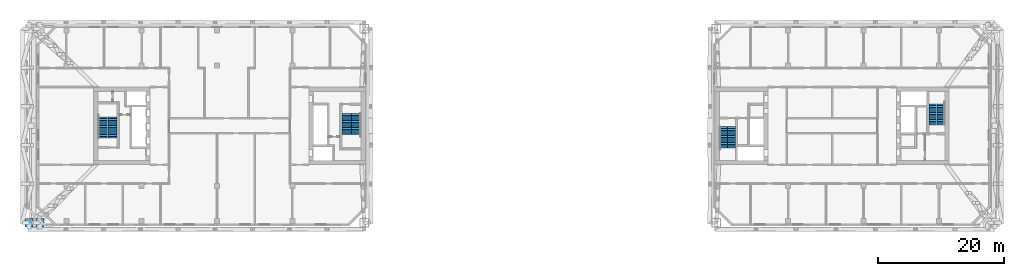
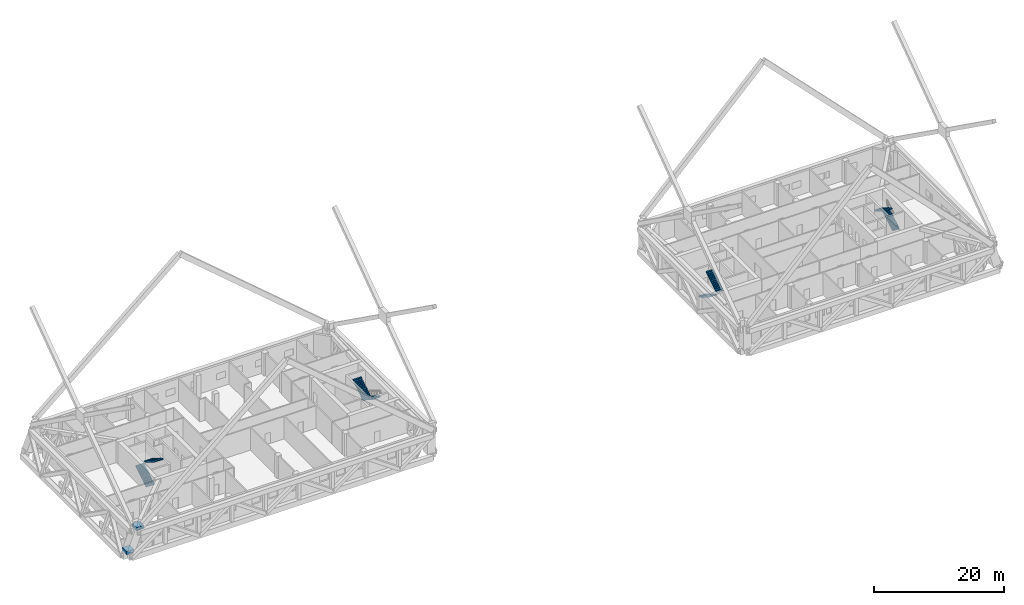
# One storey, part 17 of 20: 8 stair flights, 2 discrete accessories, 4 elements without a shape of their own.
"""IFC4 building model written with IfcOpenShell, lengths in metres."""

from ifc_helpers import new_model, si_unit, direction, frame, origin, origin_2d, place, context, subcontext, project, spatial, polyline, rectangle, outline, extrude, material, type_object, element, aggregate, save


model = new_model("IFC4")

# Units and contexts
model_context = context("Model", 3, precision=1e-05, world=origin(), true_north=direction((0.0, 1.0)))
body_context = subcontext(model_context, "Body", "Model", "MODEL_VIEW")
ifc_project = project(units=[si_unit("LENGTHUNIT", "METRE"), si_unit("AREAUNIT", "SQUARE_METRE"), si_unit("VOLUMEUNIT", "CUBIC_METRE"), si_unit("PLANEANGLEUNIT", "RADIAN"), si_unit("MASSUNIT", "GRAM", prefix="KILO")], contexts=[model_context])

# Site, building, storey
site_placement = place(None, origin())
site = spatial("IfcSite", under=ifc_project, at=site_placement, CompositionType="ELEMENT")
building_placement = place(site_placement, origin())
building = spatial("IfcBuilding", under=site, at=building_placement, Name="Tuart Gate Housing", CompositionType="ELEMENT")
storey_placement = place(building_placement, frame((0.0, 0.0, 62.89990234375)))
storey = spatial("IfcBuildingStorey", under=building, at=storey_placement, Name="L17", CompositionType="ELEMENT", Elevation=62.89990234375)

# Stair, stair flights
ifc_material_1 = material(Name="Concrete C40", Category="concrete")
stair_type_1 = type_object("IfcStairType", Name="Core stair 1250", PredefinedType="HALF_TURN_STAIR", material=ifc_material_1)
stair_1_placement = place(storey_placement, origin())
stair_1 = element("IfcStair", 1, at=stair_1_placement, inside=storey, type_object=stair_type_1, Name="Stair SB1", PredefinedType="HALF_TURN_STAIR")
ifc_material_2 = material(Name="Concrete C40", Category="concrete")
stair_flight_type_1 = type_object("IfcStairFlightType", Name="Stair flight 1250, 13 risers 173 x 280", PredefinedType="STRAIGHT", material=ifc_material_2)
stair_flight_1_placement = place(storey_placement, frame((132.68505859375, 69.85009765625, 0.0), z_axis=(0.0, 0.0, 1.0), x_axis=(0.0, -1.0, 0.0)))
stair_flight_1 = element("IfcStairFlight", 2, at=stair_flight_1_placement, type_object=stair_flight_type_1, Name="SB1 flight 1", NumberOfRisers=13, NumberOfTreads=12, PredefinedType="STRAIGHT", RiserHeight=0.173076923, TreadLength=0.28, context=body_context, shape_type="SweptSolid", body=[
    extrude(outline(polyline([(0.0, 0.0), (0.0, 0.173095703125), (0.280029296875, 0.173095703125), (0.280029296875, 0.34619140625), (0.56005859375, 0.34619140625), (0.56005859375, 0.519287109375), (0.840087890625, 0.519287109375), (0.840087890625, 0.6923828125), (1.1201171875, 0.6923828125), (1.1201171875, 0.865478515625), (1.39990234375, 0.865478515625), (1.39990234375, 1.03857421875), (1.679931640625, 1.03857421875), (1.679931640625, 1.21142578125), (1.9599609375, 1.21142578125), (1.9599609375, 1.384521484375), (2.239990234375, 1.384521484375), (2.239990234375, 1.5576171875), (2.52001953125, 1.5576171875), (2.52001953125, 1.730712890625), (2.800048828125, 1.730712890625), (2.800048828125, 1.90380859375), (3.080078125, 1.90380859375), (3.080078125, 2.076904296875), (3.360107421875, 2.076904296875), (3.360107421875, 2.25), (3.360107421875, 1.900634765625), (0.28515625, 0.0), (0.0, 0.0)])), frame((0.0, 0.625, 0.0), z_axis=(0.0, -1.0, 0.0), x_axis=(1.0, 0.0, 0.0)), (0.0, 0.0, 1.0), 1.25),
])
stair_flight_2_placement = place(storey_placement, frame((133.985107421875, 66.489990234375, 2.25), z_axis=(0.0, 0.0, 1.0), x_axis=(0.0, 1.0, 0.0)))
stair_flight_2 = element("IfcStairFlight", 3, at=stair_flight_2_placement, type_object=stair_flight_type_1, Name="SB1 flight 2", NumberOfRisers=13, NumberOfTreads=12, PredefinedType="STRAIGHT", RiserHeight=0.173076923, TreadLength=0.28, context=body_context, shape_type="SweptSolid", body=[
    extrude(outline(polyline([(0.0, 0.0), (0.0, 0.173095703125), (0.280029296875, 0.173095703125), (0.280029296875, 0.34619140625), (0.56005859375, 0.34619140625), (0.56005859375, 0.519287109375), (0.840087890625, 0.519287109375), (0.840087890625, 0.6923828125), (1.1201171875, 0.6923828125), (1.1201171875, 0.865478515625), (1.39990234375, 0.865478515625), (1.39990234375, 1.03857421875), (1.679931640625, 1.03857421875), (1.679931640625, 1.21142578125), (1.9599609375, 1.21142578125), (1.9599609375, 1.384521484375), (2.239990234375, 1.384521484375), (2.239990234375, 1.5576171875), (2.52001953125, 1.5576171875), (2.52001953125, 1.730712890625), (2.800048828125, 1.730712890625), (2.800048828125, 1.90380859375), (3.080078125, 1.90380859375), (3.080078125, 2.076904296875), (3.360107421875, 2.076904296875), (3.360107421875, 2.25), (3.360107421875, 1.900634765625), (0.28515625, 0.0), (0.0, 0.0)])), frame((0.0, 0.625, 0.0), z_axis=(0.0, -1.0, 0.0), x_axis=(1.0, 0.0, 0.0)), (0.0, 0.0, 1.0), 1.25),
])
aggregate(stair_1, [stair_flight_1, stair_flight_2])

stair_2_placement = place(storey_placement, origin())
stair_2 = element("IfcStair", 4, at=stair_2_placement, inside=storey, type_object=stair_type_1, Name="Stair SB2", PredefinedType="HALF_TURN_STAIR")
stair_flight_3_placement = place(storey_placement, frame((167.31494140625, 70.14990234375, 0.0), z_axis=(0.0, 0.0, 1.0), x_axis=(0.0, 1.0, 0.0)))
stair_flight_3 = element("IfcStairFlight", 5, at=stair_flight_3_placement, type_object=stair_flight_type_1, Name="SB2 flight 1", NumberOfRisers=13, NumberOfTreads=12, PredefinedType="STRAIGHT", RiserHeight=0.173076923, TreadLength=0.28, context=body_context, shape_type="SweptSolid", body=[
    extrude(outline(polyline([(0.0, 0.0), (0.0, 0.173095703125), (0.280029296875, 0.173095703125), (0.280029296875, 0.34619140625), (0.56005859375, 0.34619140625), (0.56005859375, 0.519287109375), (0.840087890625, 0.519287109375), (0.840087890625, 0.6923828125), (1.1201171875, 0.6923828125), (1.1201171875, 0.865478515625), (1.39990234375, 0.865478515625), (1.39990234375, 1.03857421875), (1.679931640625, 1.03857421875), (1.679931640625, 1.21142578125), (1.9599609375, 1.21142578125), (1.9599609375, 1.384521484375), (2.239990234375, 1.384521484375), (2.239990234375, 1.5576171875), (2.52001953125, 1.5576171875), (2.52001953125, 1.730712890625), (2.800048828125, 1.730712890625), (2.800048828125, 1.90380859375), (3.080078125, 1.90380859375), (3.080078125, 2.076904296875), (3.360107421875, 2.076904296875), (3.360107421875, 2.25), (3.360107421875, 1.900634765625), (0.28515625, 0.0), (0.0, 0.0)])), frame((0.0, 0.625, 0.0), z_axis=(0.0, -1.0, 0.0), x_axis=(1.0, 0.0, 0.0)), (0.0, 0.0, 1.0), 1.25),
])
stair_flight_4_placement = place(storey_placement, frame((166.014892578125, 73.510009765625, 2.25), z_axis=(0.0, 0.0, 1.0), x_axis=(0.0, -1.0, 0.0)))
stair_flight_4 = element("IfcStairFlight", 6, at=stair_flight_4_placement, type_object=stair_flight_type_1, Name="SB2 flight 2", NumberOfRisers=13, NumberOfTreads=12, PredefinedType="STRAIGHT", RiserHeight=0.173076923, TreadLength=0.28, context=body_context, shape_type="SweptSolid", body=[
    extrude(outline(polyline([(0.0, 0.0), (0.0, 0.173095703125), (0.280029296875, 0.173095703125), (0.280029296875, 0.34619140625), (0.56005859375, 0.34619140625), (0.56005859375, 0.519287109375), (0.840087890625, 0.519287109375), (0.840087890625, 0.6923828125), (1.1201171875, 0.6923828125), (1.1201171875, 0.865478515625), (1.39990234375, 0.865478515625), (1.39990234375, 1.03857421875), (1.679931640625, 1.03857421875), (1.679931640625, 1.21142578125), (1.9599609375, 1.21142578125), (1.9599609375, 1.384521484375), (2.239990234375, 1.384521484375), (2.239990234375, 1.5576171875), (2.52001953125, 1.5576171875), (2.52001953125, 1.730712890625), (2.800048828125, 1.730712890625), (2.800048828125, 1.90380859375), (3.080078125, 1.90380859375), (3.080078125, 2.076904296875), (3.360107421875, 2.076904296875), (3.360107421875, 2.25), (3.360107421875, 1.900634765625), (0.28515625, 0.0), (0.0, 0.0)])), frame((0.0, 0.625, 0.0), z_axis=(0.0, -1.0, 0.0), x_axis=(1.0, 0.0, 0.0)), (0.0, 0.0, 1.0), 1.25),
])
aggregate(stair_2, [stair_flight_3, stair_flight_4])

ifc_material_3 = material(Name="Concrete C40", Category="concrete")
stair_type_2 = type_object("IfcStairType", Name="Core stair 1500", PredefinedType="HALF_TURN_STAIR", material=ifc_material_3)
stair_3_placement = place(storey_placement, origin())
stair_3 = element("IfcStair", 7, at=stair_3_placement, inside=storey, type_object=stair_type_2, Name="Stair SA1", PredefinedType="HALF_TURN_STAIR")
ifc_material_4 = material(Name="Concrete C40", Category="concrete")
stair_flight_type_2 = type_object("IfcStairFlightType", Name="Stair flight 1500, 13 risers 173 x 280", PredefinedType="STRAIGHT", material=ifc_material_4)
stair_flight_5_placement = place(storey_placement, frame((74.18994140625, 71.949951171875, 0.0), z_axis=(0.0, 0.0, 1.0), x_axis=(0.0, -1.0, 0.0)))
stair_flight_5 = element("IfcStairFlight", 8, at=stair_flight_5_placement, type_object=stair_flight_type_2, Name="SA1 flight 1", NumberOfRisers=13, NumberOfTreads=12, PredefinedType="STRAIGHT", RiserHeight=0.173076923, TreadLength=0.28, context=body_context, shape_type="SweptSolid", body=[
    extrude(outline(polyline([(0.0, 0.0), (0.0, 0.173095703125), (0.280029296875, 0.173095703125), (0.280029296875, 0.34619140625), (0.56005859375, 0.34619140625), (0.56005859375, 0.519287109375), (0.840087890625, 0.519287109375), (0.840087890625, 0.6923828125), (1.1201171875, 0.6923828125), (1.1201171875, 0.865478515625), (1.39990234375, 0.865478515625), (1.39990234375, 1.03857421875), (1.679931640625, 1.03857421875), (1.679931640625, 1.21142578125), (1.9599609375, 1.21142578125), (1.9599609375, 1.384521484375), (2.239990234375, 1.384521484375), (2.239990234375, 1.5576171875), (2.52001953125, 1.5576171875), (2.52001953125, 1.730712890625), (2.800048828125, 1.730712890625), (2.800048828125, 1.90380859375), (3.080078125, 1.90380859375), (3.080078125, 2.076904296875), (3.360107421875, 2.076904296875), (3.360107421875, 2.25), (3.360107421875, 1.900634765625), (0.28515625, 0.0), (0.0, 0.0)])), frame((0.0, 0.75, 0.0), z_axis=(0.0, -1.0, 0.0), x_axis=(1.0, 0.0, 0.0)), (0.0, 0.0, 1.0), 1.5),
])
stair_flight_6_placement = place(storey_placement, frame((72.639892578125, 68.590087890625, 2.25), z_axis=(0.0, 0.0, 1.0), x_axis=(0.0, 1.0, 0.0)))
stair_flight_6 = element("IfcStairFlight", 9, at=stair_flight_6_placement, type_object=stair_flight_type_2, Name="SA1 flight 2", NumberOfRisers=13, NumberOfTreads=12, PredefinedType="STRAIGHT", RiserHeight=0.173076923, TreadLength=0.28, context=body_context, shape_type="SweptSolid", body=[
    extrude(outline(polyline([(0.0, 0.0), (0.0, 0.173095703125), (0.280029296875, 0.173095703125), (0.280029296875, 0.34619140625), (0.56005859375, 0.34619140625), (0.56005859375, 0.519287109375), (0.840087890625, 0.519287109375), (0.840087890625, 0.6923828125), (1.1201171875, 0.6923828125), (1.1201171875, 0.865478515625), (1.39990234375, 0.865478515625), (1.39990234375, 1.03857421875), (1.679931640625, 1.03857421875), (1.679931640625, 1.21142578125), (1.9599609375, 1.21142578125), (1.9599609375, 1.384521484375), (2.239990234375, 1.384521484375), (2.239990234375, 1.5576171875), (2.52001953125, 1.5576171875), (2.52001953125, 1.730712890625), (2.800048828125, 1.730712890625), (2.800048828125, 1.90380859375), (3.080078125, 1.90380859375), (3.080078125, 2.076904296875), (3.360107421875, 2.076904296875), (3.360107421875, 2.25), (3.360107421875, 1.900634765625), (0.28515625, 0.0), (0.0, 0.0)])), frame((0.0, 0.75, 0.0), z_axis=(0.0, -1.0, 0.0), x_axis=(1.0, 0.0, 0.0)), (0.0, 0.0, 1.0), 1.5),
])
aggregate(stair_3, [stair_flight_5, stair_flight_6])

stair_4_placement = place(storey_placement, origin())
stair_4 = element("IfcStair", 10, at=stair_4_placement, inside=storey, type_object=stair_type_2, Name="Stair SA2", PredefinedType="HALF_TURN_STAIR")
stair_flight_7_placement = place(storey_placement, frame((33.81005859375, 68.050048828125, 0.0), z_axis=(0.0, 0.0, 1.0), x_axis=(0.0, 1.0, 0.0)))
stair_flight_7 = element("IfcStairFlight", 11, at=stair_flight_7_placement, type_object=stair_flight_type_2, Name="SA2 flight 1", NumberOfRisers=13, NumberOfTreads=12, PredefinedType="STRAIGHT", RiserHeight=0.173076923, TreadLength=0.28, context=body_context, shape_type="SweptSolid", body=[
    extrude(outline(polyline([(0.0, 0.0), (0.0, 0.173095703125), (0.280029296875, 0.173095703125), (0.280029296875, 0.34619140625), (0.56005859375, 0.34619140625), (0.56005859375, 0.519287109375), (0.840087890625, 0.519287109375), (0.840087890625, 0.6923828125), (1.1201171875, 0.6923828125), (1.1201171875, 0.865478515625), (1.39990234375, 0.865478515625), (1.39990234375, 1.03857421875), (1.679931640625, 1.03857421875), (1.679931640625, 1.21142578125), (1.9599609375, 1.21142578125), (1.9599609375, 1.384521484375), (2.239990234375, 1.384521484375), (2.239990234375, 1.5576171875), (2.52001953125, 1.5576171875), (2.52001953125, 1.730712890625), (2.800048828125, 1.730712890625), (2.800048828125, 1.90380859375), (3.080078125, 1.90380859375), (3.080078125, 2.076904296875), (3.360107421875, 2.076904296875), (3.360107421875, 2.25), (3.360107421875, 1.900634765625), (0.28515625, 0.0), (0.0, 0.0)])), frame((0.0, 0.75, 0.0), z_axis=(0.0, -1.0, 0.0), x_axis=(1.0, 0.0, 0.0)), (0.0, 0.0, 1.0), 1.5),
])
stair_flight_8_placement = place(storey_placement, frame((35.360107421875, 71.409912109375, 2.25), z_axis=(0.0, 0.0, 1.0), x_axis=(0.0, -1.0, 0.0)))
stair_flight_8 = element("IfcStairFlight", 12, at=stair_flight_8_placement, type_object=stair_flight_type_2, Name="SA2 flight 2", NumberOfRisers=13, NumberOfTreads=12, PredefinedType="STRAIGHT", RiserHeight=0.173076923, TreadLength=0.28, context=body_context, shape_type="SweptSolid", body=[
    extrude(outline(polyline([(0.0, 0.0), (0.0, 0.173095703125), (0.280029296875, 0.173095703125), (0.280029296875, 0.34619140625), (0.56005859375, 0.34619140625), (0.56005859375, 0.519287109375), (0.840087890625, 0.519287109375), (0.840087890625, 0.6923828125), (1.1201171875, 0.6923828125), (1.1201171875, 0.865478515625), (1.39990234375, 0.865478515625), (1.39990234375, 1.03857421875), (1.679931640625, 1.03857421875), (1.679931640625, 1.21142578125), (1.9599609375, 1.21142578125), (1.9599609375, 1.384521484375), (2.239990234375, 1.384521484375), (2.239990234375, 1.5576171875), (2.52001953125, 1.5576171875), (2.52001953125, 1.730712890625), (2.800048828125, 1.730712890625), (2.800048828125, 1.90380859375), (3.080078125, 1.90380859375), (3.080078125, 2.076904296875), (3.360107421875, 2.076904296875), (3.360107421875, 2.25), (3.360107421875, 1.900634765625), (0.28515625, 0.0), (0.0, 0.0)])), frame((0.0, 0.75, 0.0), z_axis=(0.0, -1.0, 0.0), x_axis=(1.0, 0.0, 0.0)), (0.0, 0.0, 1.0), 1.5),
])
aggregate(stair_4, [stair_flight_7, stair_flight_8])

# Discrete accessories
for number, where, z_axis, x_axis, name in (
    (13, (22.050048828125, 54.550048828125, 0.0), (0.0, 0.0, 1.0), (1.0, 0.0, 0.0), "Mega column node A south-west foot L17"),
    (14, (23.800048828125, 54.550048828125, 3.900146484375), (0.0, 0.0, 1.0), (1.0, 0.0, 0.0), "Mega column node A south-west head L17"),
):
    element("IfcDiscreteAccessory", number, at=place(storey_placement, frame(where, z_axis=z_axis, x_axis=x_axis)), inside=storey, Name=name, ObjectType="Mega column node", PredefinedType="USERDEFINED", context=body_context, shape_type="SweptSolid", body=[
        extrude(rectangle(XDim=1.343994140625, YDim=1.343994140625, at=origin_2d()), origin(), (0.0, 0.0, 1.0), 0.60009765625),
    ])

save(model, "model.ifc")
